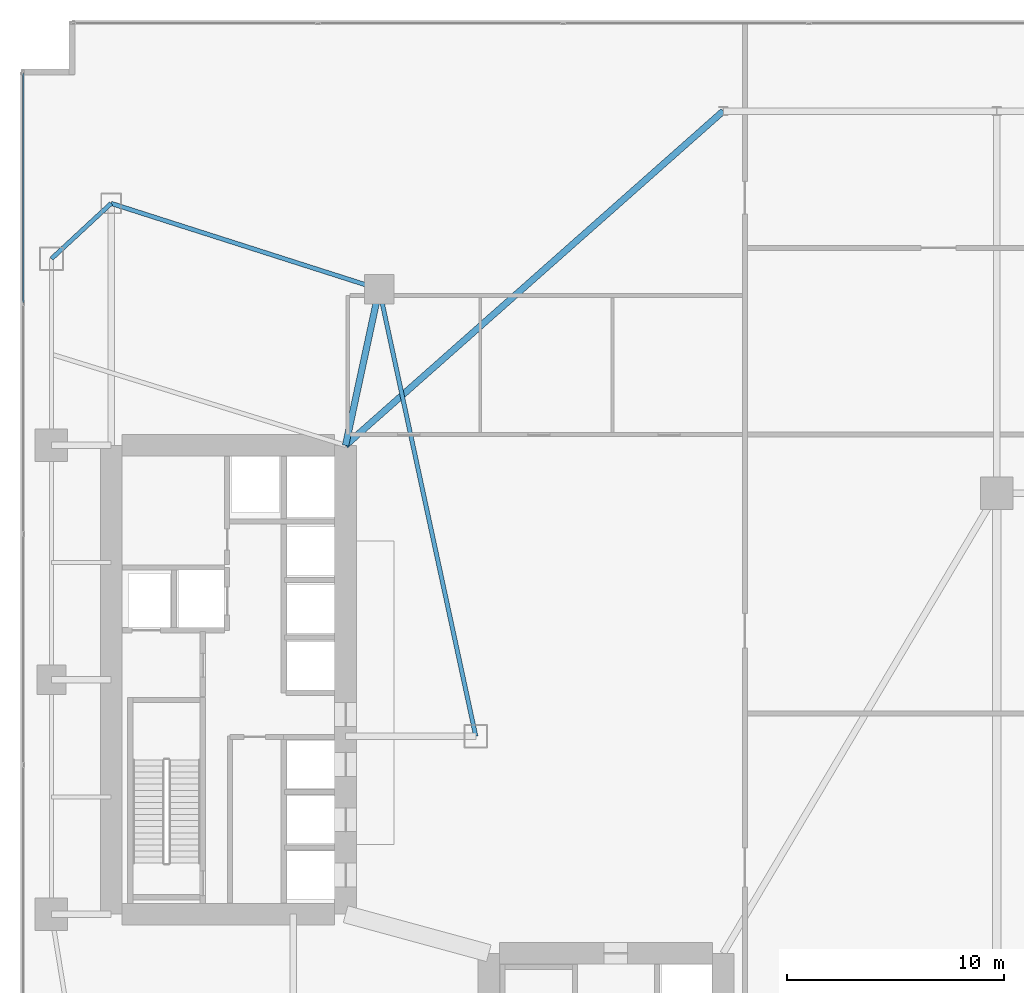
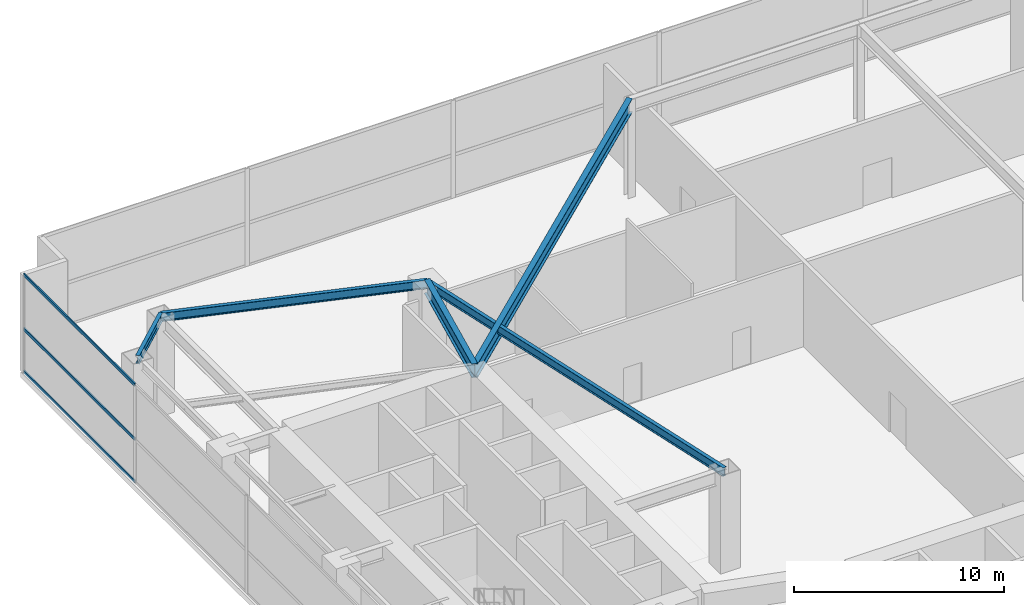
# One storey, part 15 of 35: 5 beams, 3 members, 1 element without a shape of its own.
"""IFC4 building model written with IfcOpenShell, lengths in metres."""

import ifcopenshell
import ifcopenshell.guid

model = None  # the IFC model being written
_history = None  # IfcOwnerHistory: only IFC2X3 demands one
_inside = {}  # id of a spatial element -> (the spatial element, [elements in it])
_under = {}  # id of a project, library or spatial element -> (it, [spatial elements below it])
_declared = {}  # id of a project -> (the project, [libraries it declares])
_typed = {}  # id of a type object -> (the type object, [elements of that type])
_made_of = {}  # id of a material, layer set ... -> (it, [elements and type objects made of it])


def new_model(schema):
    """Start an empty IFC model of exactly this schema.

    Asked for "IFC4X3", IfcOpenShell would pick the latest addendum, in which some entities
    have other attributes; the version numbers below select the first issue.
    IFC2X3 requires an IfcOwnerHistory on every rooted entity: one is made here for all.
    """
    global model, _history
    if schema == "IFC4X3":
        model = ifcopenshell.file(schema_version=(4, 3, 0, 0))
    else:
        model = ifcopenshell.file(schema=schema)
    _inside.clear()
    _under.clear()
    _declared.clear()
    _typed.clear()
    _made_of.clear()
    _history = None
    if model.schema == "IFC2X3":
        org = make("IfcOrganization", Name="unknown")
        user = make(
            "IfcPersonAndOrganization",
            ThePerson=make("IfcPerson", FamilyName="unknown"),
            TheOrganization=org,
        )
        app = make(
            "IfcApplication",
            ApplicationDeveloper=org,
            Version="unknown",
            ApplicationFullName="unknown",
            ApplicationIdentifier="unknown",
        )
        _history = make(
            "IfcOwnerHistory",
            OwningUser=user,
            OwningApplication=app,
            ChangeAction="ADDED",
            CreationDate=0,
        )
    return model


def make(cls, **values):
    """One entity of the class cls with the attributes given. An attribute that is None is left unset."""
    return model.create_entity(
        cls, **{name: value for name, value in values.items() if value is not None}
    )


def rooted(cls, **values):
    """An entity with a GlobalId (a new one), such as an element, a storey or a relation."""
    return make(cls, GlobalId=ifcopenshell.guid.new(), OwnerHistory=_history, **values)


def si_unit(unit_type, name, prefix=None):
    """IfcSIUnit, for example si_unit("LENGTHUNIT", "METRE", prefix="MILLI")."""
    return make("IfcSIUnit", UnitType=unit_type, Prefix=prefix, Name=name)


def assignment(units):
    """IfcUnitAssignment: the units of a project."""
    return None if units is None else make("IfcUnitAssignment", Units=units)


def point(xyz):
    """IfcCartesianPoint."""
    return None if xyz is None else make("IfcCartesianPoint", Coordinates=xyz)


def direction(xyz):
    """IfcDirection."""
    return None if xyz is None else make("IfcDirection", DirectionRatios=xyz)


def frame(location, z_axis=None, x_axis=None):
    """IfcAxis2Placement3D, a coordinate frame: its origin and axes. An axis left out is left unset."""
    return make(
        "IfcAxis2Placement3D",
        Location=point(location),
        Axis=direction(z_axis),
        RefDirection=direction(x_axis),
    )


def frame_2d(location, x_axis=None):
    """IfcAxis2Placement2D, a coordinate frame in the plane: its origin and x axis."""
    return make(
        "IfcAxis2Placement2D", Location=point(location), RefDirection=direction(x_axis)
    )


def origin():
    """The frame at (0, 0, 0) with its axes left unset."""
    return frame((0.0, 0.0, 0.0))


def origin_2d():
    """The frame at (0, 0) in the plane with its x axis left unset."""
    return frame_2d((0.0, 0.0))


def place(relative_to, where):
    """IfcLocalPlacement: puts the frame where relative to a parent placement (None: the world)."""
    return make(
        "IfcLocalPlacement", PlacementRelTo=relative_to, RelativePlacement=where
    )


def context(
    kind, dimensions, precision=None, world=None, true_north=None, identifier=None
):
    """IfcGeometricRepresentationContext, for example the 3D "Model" context."""
    return make(
        "IfcGeometricRepresentationContext",
        ContextIdentifier=identifier,
        ContextType=kind,
        CoordinateSpaceDimension=dimensions,
        Precision=precision,
        WorldCoordinateSystem=world,
        TrueNorth=true_north,
    )


def subcontext(parent, identifier, kind, view, scale=None):
    """IfcGeometricRepresentationSubContext, for example "Body" below "Model"."""
    return make(
        "IfcGeometricRepresentationSubContext",
        ContextIdentifier=identifier,
        ContextType=kind,
        ParentContext=parent,
        TargetScale=scale,
        TargetView=view,
    )


def project(units=None, contexts=None):
    """IfcProject with its units and contexts."""
    return rooted(
        "IfcProject",
        Name="project",
        RepresentationContexts=contexts,
        UnitsInContext=assignment(units),
    )


def spatial(cls, under=None, at=None, **own):
    """A site, building, storey or space (cls), placed at a placement, below another one or the project."""
    s = rooted(cls, ObjectPlacement=at, **own)
    if under is not None:
        _under.setdefault(under.id(), (under, []))[1].append(s)
    return s


def profile(cls, at=None, kind="AREA", **sizes):
    """A parametric profile (cls). Its sizes go by their IFC names, for example OverallWidth=200.0."""
    return make(cls, ProfileType=kind, Position=at, **sizes)


def hollow_rectangle(**sizes):
    """IfcRectangleHollowProfileDef."""
    return profile("IfcRectangleHollowProfileDef", **sizes)


def i_section(**sizes):
    """IfcIShapeProfileDef."""
    return profile("IfcIShapeProfileDef", **sizes)


def extrude(swept, where, along, depth):
    """IfcExtrudedAreaSolid: the profile swept, set in the frame where, extruded along a direction by depth."""
    return make(
        "IfcExtrudedAreaSolid",
        SweptArea=swept,
        Position=where,
        ExtrudedDirection=direction(along),
        Depth=depth,
    )


def shape(context_of_items, identifier, shape_type, items):
    """IfcShapeRepresentation: the items that make up one representation, for example the "Body"."""
    return make(
        "IfcShapeRepresentation",
        ContextOfItems=context_of_items,
        RepresentationIdentifier=identifier,
        RepresentationType=shape_type,
        Items=items,
    )


def material(Name=None, Category=None):
    """IfcMaterial."""
    return make("IfcMaterial", Name=Name, Category=Category)


def layer(
    of_material, thickness, ventilated=None, Name=None, Category=None, Priority=None
):
    """IfcMaterialLayer: one layer of a wall or slab, of a material (None: an air gap)."""
    return make(
        "IfcMaterialLayer",
        Material=of_material,
        LayerThickness=thickness,
        IsVentilated=ventilated,
        Name=Name,
        Category=Category,
        Priority=Priority,
    )


def layer_set(layers, Name=None):
    """IfcMaterialLayerSet."""
    return make("IfcMaterialLayerSet", MaterialLayers=layers, LayerSetName=Name)


def material_profile(
    of_material, cross_section, Name=None, Category=None, Priority=None
):
    """IfcMaterialProfile: a cross section and its material."""
    return make(
        "IfcMaterialProfile",
        Name=Name,
        Material=of_material,
        Profile=cross_section,
        Priority=Priority,
        Category=Category,
    )


def profile_set(profiles, Name=None, composite=None):
    """IfcMaterialProfileSet."""
    return make(
        "IfcMaterialProfileSet",
        Name=Name,
        MaterialProfiles=profiles,
        CompositeProfile=composite,
    )


def made_of(thing, what):
    """Note that an element or type object is made of a material, layer set ...; save() writes the relation."""
    if what is not None:
        _made_of.setdefault(what.id(), (what, []))[1].append(thing)
    return thing


def type_object(cls, material=None, **own):
    """A type object (cls), such as IfcWallType, which elements share."""
    return made_of(rooted(cls, **own), material)


def element(
    cls,
    number,
    at=None,
    inside=None,
    cuts=None,
    type_object=None,
    material=None,
    context=None,
    identifier="Body",
    shape_type=None,
    held_by="IfcProductDefinitionShape",
    body=None,
    shapes=None,
    **own,
):
    """One element of the class cls, such as IfcWall. Its Tag is "e" and its number.

    at: its placement. inside: the storey or other place that contains it. cuts: it is an
    opening in that element (IfcRelVoidsElement). A single representation is given by context,
    identifier, shape_type and body (its items); several are given by shapes. held_by: the class
    of the entity that holds the representations. save() writes the other relations.
    """
    e = rooted(cls, Tag="e%d" % number, ObjectPlacement=at, **own)
    if body is not None:
        shapes = [shape(context, identifier, shape_type, body)]
    if shapes is not None:
        e.Representation = make(held_by, Representations=shapes)
    if inside is not None:
        _inside.setdefault(inside.id(), (inside, []))[1].append(e)
    if cuts is not None:
        rooted(
            "IfcRelVoidsElement", RelatingBuildingElement=cuts, RelatedOpeningElement=e
        )
    if type_object is not None:
        _typed.setdefault(type_object.id(), (type_object, []))[1].append(e)
    return made_of(e, material)


def aggregate(whole, parts):
    """IfcRelAggregates: a whole, such as a stair, and the parts it consists of."""
    return rooted("IfcRelAggregates", RelatingObject=whole, RelatedObjects=parts)


def save(model, path):
    """Write the relations noted so far, then the file.

    IfcRelAggregates (storeys below a building ...), IfcRelContainedInSpatialStructure (elements
    in a storey), IfcRelDefinesByType, IfcRelAssociatesMaterial and IfcRelDeclares: one each for
    every whole, place, type object, material and project.
    """
    for whole, parts in _under.values():
        aggregate(whole, parts)
    for where, things in _inside.values():
        rooted(
            "IfcRelContainedInSpatialStructure",
            RelatedElements=things,
            RelatingStructure=where,
        )
    for kind, things in _typed.values():
        rooted("IfcRelDefinesByType", RelatedObjects=things, RelatingType=kind)
    for what, things in _made_of.values():
        rooted("IfcRelAssociatesMaterial", RelatedObjects=things, RelatingMaterial=what)
    for by, libraries in _declared.values():
        rooted("IfcRelDeclares", RelatingContext=by, RelatedDefinitions=libraries)
    model.write(path)


model = new_model("IFC4")

# Units and contexts
model_context = context("Model", 3, precision=1e-05, world=origin(), true_north=direction((0.0, 1.0)))
body_context = subcontext(model_context, "Body", "Model", "MODEL_VIEW")
ifc_project = project(units=[si_unit("LENGTHUNIT", "METRE"), si_unit("AREAUNIT", "SQUARE_METRE"), si_unit("VOLUMEUNIT", "CUBIC_METRE"), si_unit("PLANEANGLEUNIT", "RADIAN"), si_unit("MASSUNIT", "GRAM", prefix="KILO")], contexts=[model_context])

# Site, building, storey
site_placement = place(None, origin())
site = spatial("IfcSite", under=ifc_project, at=site_placement, CompositionType="ELEMENT")
building_placement = place(site_placement, origin())
building = spatial("IfcBuilding", under=site, at=building_placement, Name="Calvorn Quay Hotel", CompositionType="ELEMENT")
storey_placement = place(building_placement, frame((0.0, 0.0, 6.0)))
storey = spatial("IfcBuildingStorey", under=building, at=storey_placement, Name="L01", CompositionType="ELEMENT", Elevation=6.0)

# Beams
ifc_material_1 = material(Name="Steel Q390GJC", Category="steel")
ifc_material_profile_1 = material_profile(ifc_material_1, i_section(OverallWidth=0.300048828125, OverallDepth=0.800048828125, WebThickness=0.013916015625, FlangeThickness=0.02587890625, FilletRadius=0.02392578125, at=origin_2d()), Name="HN800x300x14x26")
ifc_profile_set_1 = profile_set([ifc_material_profile_1], Name="Steel Q390GJC")
beam_type_1 = type_object("IfcBeamType", Name="BM-GIRD-POD", PredefinedType="BEAM", material=ifc_profile_set_1)
beam_1_placement = place(storey_placement, frame((16.550048828125, 45.60009765625, 5.280029296875), z_axis=(-0.210457140491, -0.97760308511, 0.0), x_axis=(0.97760308511, -0.210457140491, 0.0)))
element("IfcBeam", 1, at=beam_1_placement, inside=storey, type_object=beam_type_1, Name="Beam BG-L01-W6", PredefinedType="BEAM", context=body_context, shape_type="SweptSolid", body=[
    extrude(i_section(OverallWidth=0.300048828125, OverallDepth=0.800048828125, WebThickness=0.013916015625, FlangeThickness=0.02587890625, FilletRadius=0.02392578125, at=origin_2d()), origin(), (0.0, 0.0, 1.0), 7.365234375),
])
beam_2_placement = place(storey_placement, frame((15.0, 38.39990234375, 5.280029296875), z_axis=(0.748827276571, 0.662765199647, 0.0), x_axis=(-0.662765199647, 0.748827276571, 0.0)))
element("IfcBeam", 2, at=beam_2_placement, inside=storey, type_object=beam_type_1, Name="Beam BG-L01-PN4", PredefinedType="BEAM", context=body_context, shape_type="SweptSolid", body=[
    extrude(i_section(OverallWidth=0.300048828125, OverallDepth=0.800048828125, WebThickness=0.013916015625, FlangeThickness=0.02587890625, FilletRadius=0.02392578125, at=origin_2d()), origin(), (0.0, 0.0, 1.0), 23.236083984375),
])
ifc_material_2 = material(Name="Steel Q355B", Category="steel")
ifc_material_profile_2 = material_profile(ifc_material_2, i_section(OverallWidth=0.199951171875, OverallDepth=0.5, WebThickness=0.010009765625, FlangeThickness=0.01611328125, FilletRadius=0.01611328125, at=origin_2d()), Name="HN500x200x10x16")
ifc_profile_set_2 = profile_set([ifc_material_profile_2], Name="Steel Q355B")
beam_type_2 = type_object("IfcBeamType", Name="BM-SPANDREL-Z1", PredefinedType="SPANDREL", material=ifc_profile_set_2)
beam_3_placement = place(storey_placement, frame((1.449951171875, 47.0, 5.429931640625), z_axis=(0.733261665538, 0.679946563969, 0.0), x_axis=(-0.679946563969, 0.733261665538, 0.0)))
element("IfcBeam", 3, at=beam_3_placement, inside=storey, type_object=beam_type_2, Name="Beam BSP-L01-W5", PredefinedType="SPANDREL", context=body_context, shape_type="SweptSolid", body=[
    extrude(i_section(OverallWidth=0.199951171875, OverallDepth=0.5, WebThickness=0.010009765625, FlangeThickness=0.01611328125, FilletRadius=0.01611328125, at=origin_2d()), origin(), (0.0, 0.0, 1.0), 3.75048828125),
])
beam_4_placement = place(storey_placement, frame((4.199951171875, 49.550048828125, 5.429931640625), z_axis=(0.952470702374, -0.304630203885, 0.0), x_axis=(0.304630203885, 0.952470702374, 0.0)))
element("IfcBeam", 4, at=beam_4_placement, inside=storey, type_object=beam_type_2, Name="Beam BSP-L01-W6", PredefinedType="SPANDREL", context=body_context, shape_type="SweptSolid", body=[
    extrude(i_section(OverallWidth=0.199951171875, OverallDepth=0.5, WebThickness=0.010009765625, FlangeThickness=0.01611328125, FilletRadius=0.01611328125, at=origin_2d()), origin(), (0.0, 0.0, 1.0), 12.96630859375),
])
beam_5_placement = place(storey_placement, frame((16.550048828125, 45.60009765625, 5.429931640625), z_axis=(0.211145848376, -0.977454567084, 0.0), x_axis=(0.977454567084, 0.211145848376, 0.0)))
element("IfcBeam", 5, at=beam_5_placement, inside=storey, type_object=beam_type_2, Name="Beam BSP-L01-W7", PredefinedType="SPANDREL", context=body_context, shape_type="SweptSolid", body=[
    extrude(i_section(OverallWidth=0.199951171875, OverallDepth=0.5, WebThickness=0.010009765625, FlangeThickness=0.01611328125, FilletRadius=0.01611328125, at=origin_2d()), origin(), (0.0, 0.0, 1.0), 21.0751953125),
])

# Curtain wall, members
ifc_material_3 = material(Name="Pale Anodised Aluminium and Low-E Glass", Category="aluminium")
ifc_layer = layer(ifc_material_3, 0.219970703125)
ifc_layer_set = layer_set([ifc_layer], Name="CW-SYS-POD")
curtain_wall_type = type_object("IfcCurtainWallType", Name="CW-SYS-POD", PredefinedType="NOTDEFINED", material=ifc_layer_set)
curtain_wall_placement = place(storey_placement, origin())
curtain_wall = element("IfcCurtainWall", 6, at=curtain_wall_placement, inside=storey, type_object=curtain_wall_type, Name="Podium Curtain Wall L01-W1", PredefinedType="NOTDEFINED")
ifc_material_4 = material(Name="Pale Anodised Aluminium 6063-T6", Category="aluminium")
ifc_material_profile_3 = material_profile(ifc_material_4, hollow_rectangle(XDim=0.070068359375, YDim=0.179931640625, WallThickness=0.00390625, at=origin_2d()), Name="ALU-T180x70x4")
ifc_profile_set_3 = profile_set([ifc_material_profile_3], Name="Pale Anodised Aluminium 6063-T6")
member_type = type_object("IfcMemberType", Name="CW-SYS-POD-TRN", PredefinedType="USERDEFINED", material=ifc_profile_set_3)
member_1_placement = place(storey_placement, frame((0.14990234375, 44.989990234375, 0.030029296875), z_axis=(0.0, 1.0, 0.0), x_axis=(-1.0, 0.0, 0.0)))
member_1 = element("IfcMember", 7, at=member_1_placement, type_object=member_type, Name="CW-L01-W1 transom 5.1", ObjectType="TRANSOM", PredefinedType="USERDEFINED", context=body_context, shape_type="SweptSolid", body=[
    extrude(hollow_rectangle(XDim=0.070068359375, YDim=0.179931640625, WallThickness=0.00390625, at=origin_2d()), origin(), (0.0, 0.0, 1.0), 10.550048828125),
])
member_2_placement = place(storey_placement, frame((0.14990234375, 44.989990234375, 2.5), z_axis=(0.0, 1.0, 0.0), x_axis=(-1.0, 0.0, 0.0)))
member_2 = element("IfcMember", 8, at=member_2_placement, type_object=member_type, Name="CW-L01-W1 transom 5.2", ObjectType="TRANSOM", PredefinedType="USERDEFINED", context=body_context, shape_type="SweptSolid", body=[
    extrude(hollow_rectangle(XDim=0.070068359375, YDim=0.179931640625, WallThickness=0.00390625, at=origin_2d()), origin(), (0.0, 0.0, 1.0), 10.550048828125),
])
member_3_placement = place(storey_placement, frame((0.14990234375, 44.989990234375, 5.64990234375), z_axis=(0.0, 1.0, 0.0), x_axis=(-1.0, 0.0, 0.0)))
member_3 = element("IfcMember", 9, at=member_3_placement, type_object=member_type, Name="CW-L01-W1 transom 5.3", ObjectType="TRANSOM", PredefinedType="USERDEFINED", context=body_context, shape_type="SweptSolid", body=[
    extrude(hollow_rectangle(XDim=0.070068359375, YDim=0.179931640625, WallThickness=0.00390625, at=origin_2d()), origin(), (0.0, 0.0, 1.0), 10.550048828125),
])
aggregate(curtain_wall, [member_1, member_2, member_3])

save(model, "model.ifc")
